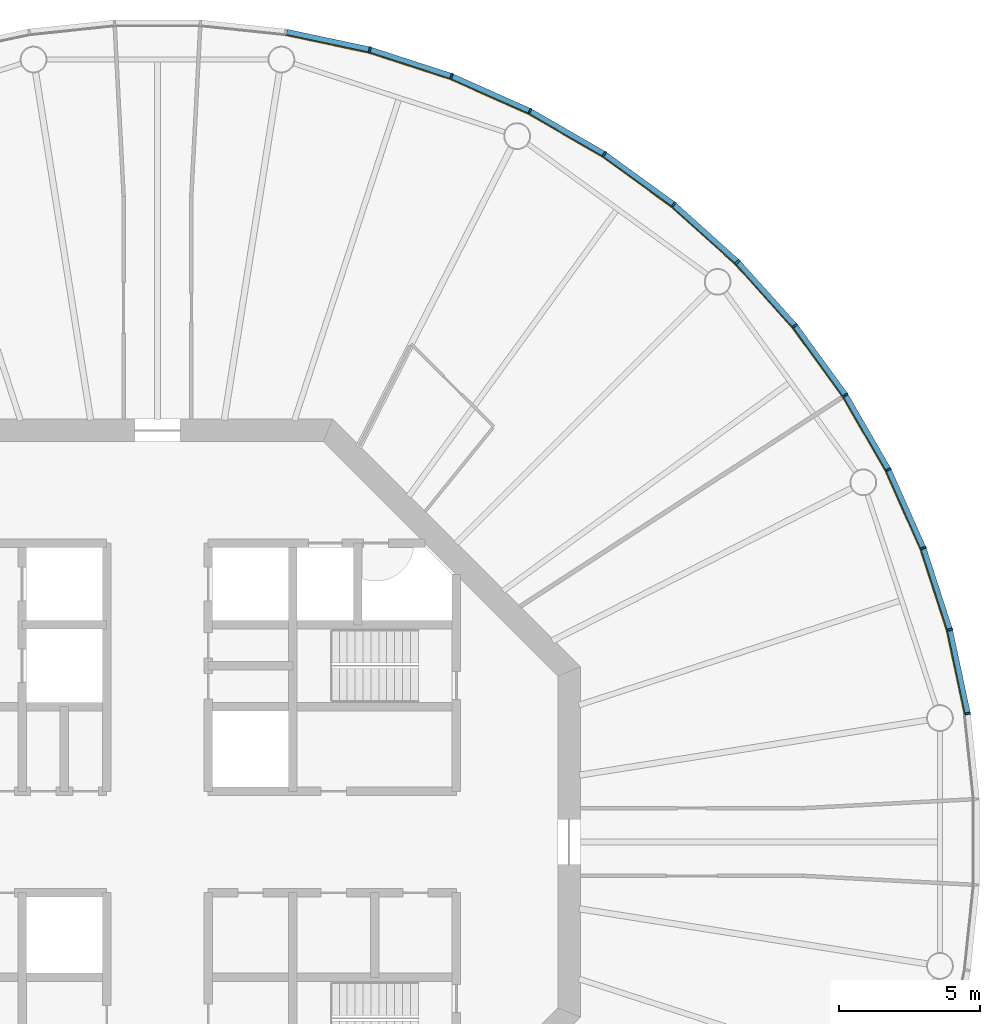
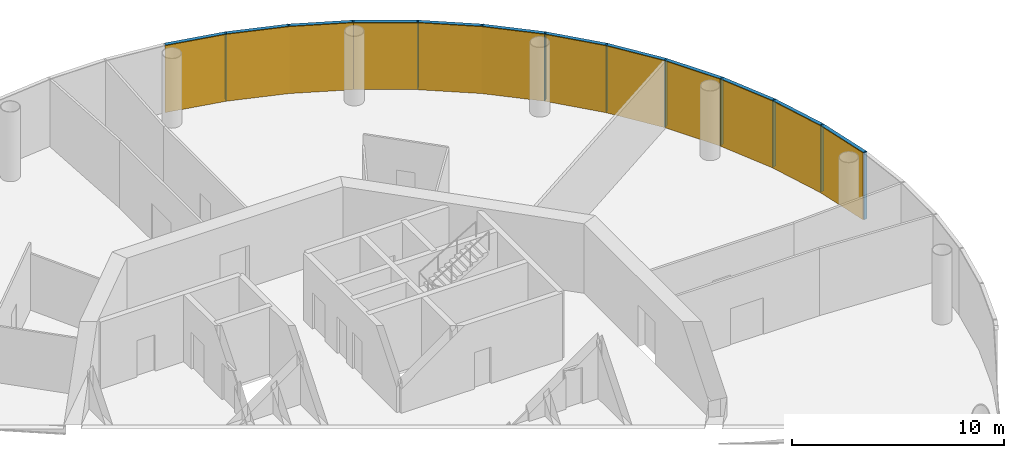
# One storey, part 12 of 13: 24 members, 4 curtain walls.
"""IFC4 building model written with IfcOpenShell, lengths in metres."""

from ifc_helpers import new_model, si_unit, direction, frame, origin, origin_2d, place, context, subcontext, project, spatial, polyline, rectangle, outline, extrude, material, layer, layer_set, material_profile, profile_set, type_object, element, aggregate, save


model = new_model("IFC4")

# Units and contexts
model_context = context("Model", 3, precision=1e-05, world=origin(), true_north=direction((0.0, 1.0)))
body_context = subcontext(model_context, "Body", "Model", "MODEL_VIEW")
ifc_project = project(units=[si_unit("LENGTHUNIT", "METRE"), si_unit("AREAUNIT", "SQUARE_METRE"), si_unit("VOLUMEUNIT", "CUBIC_METRE"), si_unit("PLANEANGLEUNIT", "RADIAN"), si_unit("MASSUNIT", "GRAM", prefix="KILO")], contexts=[model_context])

# Member
ifc_material_1 = material(Name="Anodised aluminium", Category="aluminium")
ifc_material_profile_1 = material_profile(ifc_material_1, rectangle(XDim=0.06494140625, YDim=0.195068359375, at=origin_2d()), Name="Mullion 65 x 195 mm anodised aluminium")
ifc_profile_set_1 = profile_set([ifc_material_profile_1], Name="Anodised aluminium")
member_type_1 = type_object("IfcMemberType", Name="Mullion 65 x 195 mm anodised aluminium", PredefinedType="MULLION", material=ifc_profile_set_1)
site_placement = place(None, origin())
building_placement = place(site_placement, origin())
storey_placement = place(building_placement, frame((0.0, 0.0, 298.0)))
member_1_placement = place(storey_placement, frame((118.7392578125, 84.5517578125, 0.0), z_axis=(0.0, 0.0, 1.0), x_axis=(-0.15643446504, 0.987688340595, 0.0)))
member_1 = element("IfcMember", 1, at=member_1_placement, type_object=member_type_1, Name="MULLION L68-00", PredefinedType="MULLION", context=body_context, shape_type="SweptSolid", body=[
    extrude(rectangle(XDim=0.06494140625, YDim=0.195068359375, at=origin_2d()), origin(), (0.0, 0.0, 1.0), 3.85009765625),
])

member_2_placement = place(storey_placement, frame((118.10595703125, 87.531005859375, 0.0), z_axis=(0.0, 0.0, 1.0), x_axis=(-0.258819045103, 0.965925826289, 0.0)))
member_2 = element("IfcMember", 2, at=member_2_placement, type_object=member_type_1, Name="MULLION L68-01", PredefinedType="MULLION", context=body_context, shape_type="SweptSolid", body=[
    extrude(rectangle(XDim=0.06494140625, YDim=0.195068359375, at=origin_2d()), origin(), (0.0, 0.0, 1.0), 3.85009765625),
])

member_3_placement = place(storey_placement, frame((117.164794921875, 90.427490234375, 0.0), z_axis=(0.0, 0.0, 1.0), x_axis=(-0.358367949545, 0.933580426497, 0.0)))
member_3 = element("IfcMember", 3, at=member_3_placement, type_object=member_type_1, Name="MULLION L68-02", PredefinedType="MULLION", context=body_context, shape_type="SweptSolid", body=[
    extrude(rectangle(XDim=0.06494140625, YDim=0.195068359375, at=origin_2d()), origin(), (0.0, 0.0, 1.0), 3.85009765625),
])

member_4_placement = place(storey_placement, frame((115.926025390625, 93.2099609375, 0.0), z_axis=(0.0, 0.0, 1.0), x_axis=(-0.45399049974, 0.891006524188, 0.0)))
member_4 = element("IfcMember", 4, at=member_4_placement, type_object=member_type_1, Name="MULLION L68-03", PredefinedType="MULLION", context=body_context, shape_type="SweptSolid", body=[
    extrude(rectangle(XDim=0.06494140625, YDim=0.195068359375, at=origin_2d()), origin(), (0.0, 0.0, 1.0), 3.85009765625),
])

member_5_placement = place(storey_placement, frame((114.4033203125, 95.84765625, 0.0), z_axis=(0.0, 0.0, 1.0), x_axis=(-0.544639035015, 0.838670567945, 0.0)))
member_5 = element("IfcMember", 5, at=member_5_placement, type_object=member_type_1, Name="MULLION L68-04", PredefinedType="MULLION", context=body_context, shape_type="SweptSolid", body=[
    extrude(rectangle(XDim=0.06494140625, YDim=0.195068359375, at=origin_2d()), origin(), (0.0, 0.0, 1.0), 3.85009765625),
])

member_6_placement = place(storey_placement, frame((112.613037109375, 98.311767578125, 0.0), z_axis=(0.0, 0.0, 1.0), x_axis=(-0.62932039105, 0.777145961457, 0.0)))
member_6 = element("IfcMember", 6, at=member_6_placement, type_object=member_type_1, Name="MULLION L68-05", PredefinedType="MULLION", context=body_context, shape_type="SweptSolid", body=[
    extrude(rectangle(XDim=0.06494140625, YDim=0.195068359375, at=origin_2d()), origin(), (0.0, 0.0, 1.0), 3.85009765625),
])

member_7_placement = place(storey_placement, frame((110.574951171875, 100.574951171875, 0.0), z_axis=(0.0, 0.0, 1.0), x_axis=(-0.707106781187, 0.707106781187, 0.0)))
member_7 = element("IfcMember", 7, at=member_7_placement, type_object=member_type_1, Name="MULLION L68-06", PredefinedType="MULLION", context=body_context, shape_type="SweptSolid", body=[
    extrude(rectangle(XDim=0.06494140625, YDim=0.195068359375, at=origin_2d()), origin(), (0.0, 0.0, 1.0), 3.85009765625),
])

member_8_placement = place(storey_placement, frame((108.311767578125, 102.613037109375, 0.0), z_axis=(0.0, 0.0, 1.0), x_axis=(-0.777145961457, 0.62932039105, 0.0)))
member_8 = element("IfcMember", 8, at=member_8_placement, type_object=member_type_1, Name="MULLION L68-07", PredefinedType="MULLION", context=body_context, shape_type="SweptSolid", body=[
    extrude(rectangle(XDim=0.06494140625, YDim=0.195068359375, at=origin_2d()), origin(), (0.0, 0.0, 1.0), 3.85009765625),
])

member_9_placement = place(storey_placement, frame((105.84765625, 104.4033203125, 0.0), z_axis=(0.0, 0.0, 1.0), x_axis=(-0.838670567945, 0.544639035015, 0.0)))
member_9 = element("IfcMember", 9, at=member_9_placement, type_object=member_type_1, Name="MULLION L68-08", PredefinedType="MULLION", context=body_context, shape_type="SweptSolid", body=[
    extrude(rectangle(XDim=0.06494140625, YDim=0.195068359375, at=origin_2d()), origin(), (0.0, 0.0, 1.0), 3.85009765625),
])

member_10_placement = place(storey_placement, frame((103.2099609375, 105.926025390625, 0.0), z_axis=(0.0, 0.0, 1.0), x_axis=(-0.891006524188, 0.45399049974, 0.0)))
member_10 = element("IfcMember", 10, at=member_10_placement, type_object=member_type_1, Name="MULLION L68-09", PredefinedType="MULLION", context=body_context, shape_type="SweptSolid", body=[
    extrude(rectangle(XDim=0.06494140625, YDim=0.195068359375, at=origin_2d()), origin(), (0.0, 0.0, 1.0), 3.85009765625),
])

member_11_placement = place(storey_placement, frame((100.427490234375, 107.164794921875, 0.0), z_axis=(0.0, 0.0, 1.0), x_axis=(-0.933580426497, 0.358367949545, 0.0)))
member_11 = element("IfcMember", 11, at=member_11_placement, type_object=member_type_1, Name="MULLION L68-10", PredefinedType="MULLION", context=body_context, shape_type="SweptSolid", body=[
    extrude(rectangle(XDim=0.06494140625, YDim=0.195068359375, at=origin_2d()), origin(), (0.0, 0.0, 1.0), 3.85009765625),
])

member_12_placement = place(storey_placement, frame((97.531005859375, 108.10595703125, 0.0), z_axis=(0.0, 0.0, 1.0), x_axis=(-0.965925826289, 0.258819045103, 0.0)))
member_12 = element("IfcMember", 12, at=member_12_placement, type_object=member_type_1, Name="MULLION L68-11", PredefinedType="MULLION", context=body_context, shape_type="SweptSolid", body=[
    extrude(rectangle(XDim=0.06494140625, YDim=0.195068359375, at=origin_2d()), origin(), (0.0, 0.0, 1.0), 3.85009765625),
])

ifc_material_2 = material(Name="Anodised aluminium", Category="aluminium")
ifc_material_profile_2 = material_profile(ifc_material_2, rectangle(XDim=0.195068359375, YDim=0.179931640625, at=origin_2d()), Name="Transom 180 x 195 mm anodised aluminium")
ifc_profile_set_2 = profile_set([ifc_material_profile_2], Name="Anodised aluminium")
member_type_2 = type_object("IfcMemberType", Name="Transom 180 x 195 mm anodised aluminium", PredefinedType="USERDEFINED", material=ifc_profile_set_2)
member_13_placement = place(storey_placement, frame((118.731689453125, 84.588623046875, 3.760009765625), z_axis=(-0.207940342877, 0.978141510112, 0.0), x_axis=(-0.978141510112, -0.207940342877, 0.0)))
member_13 = element("IfcMember", 13, at=member_13_placement, type_object=member_type_2, Name="TRANSOM L68-00", ObjectType="TRANSOM", PredefinedType="USERDEFINED", context=body_context, shape_type="SweptSolid", body=[
    extrude(rectangle(XDim=0.195068359375, YDim=0.179931640625, at=origin_2d()), origin(), (0.0, 0.0, 1.0), 2.970458984375),
])

member_14_placement = place(storey_placement, frame((118.094482421875, 87.56689453125, 3.760009765625), z_axis=(-0.309043326415, 0.951047960094, 0.0), x_axis=(-0.951047960094, -0.309043326415, 0.0)))
member_14 = element("IfcMember", 14, at=member_14_placement, type_object=member_type_2, Name="TRANSOM L68-01", ObjectType="TRANSOM", PredefinedType="USERDEFINED", context=body_context, shape_type="SweptSolid", body=[
    extrude(rectangle(XDim=0.195068359375, YDim=0.179931640625, at=origin_2d()), origin(), (0.0, 0.0, 1.0), 2.970458984375),
])

member_15_placement = place(storey_placement, frame((117.149658203125, 90.4619140625, 3.760009765625), z_axis=(-0.406725527369, 0.913550406593, 0.0), x_axis=(-0.913550406593, -0.406725527369, 0.0)))
member_15 = element("IfcMember", 15, at=member_15_placement, type_object=member_type_2, Name="TRANSOM L68-02", ObjectType="TRANSOM", PredefinedType="USERDEFINED", context=body_context, shape_type="SweptSolid", body=[
    extrude(rectangle(XDim=0.195068359375, YDim=0.179931640625, at=origin_2d()), origin(), (0.0, 0.0, 1.0), 2.970703125),
])

member_16_placement = place(storey_placement, frame((115.907470703125, 93.24267578125, 3.760009765625), z_axis=(-0.500028367561, 0.866009025146, 0.0), x_axis=(-0.866009025146, -0.500028367561, 0.0)))
member_16 = element("IfcMember", 16, at=member_16_placement, type_object=member_type_2, Name="TRANSOM L68-03", ObjectType="TRANSOM", PredefinedType="USERDEFINED", context=body_context, shape_type="SweptSolid", body=[
    extrude(rectangle(XDim=0.195068359375, YDim=0.179931640625, at=origin_2d()), origin(), (0.0, 0.0, 1.0), 2.970458984375),
])

member_17_placement = place(storey_placement, frame((114.381103515625, 95.878173828125, 3.760009765625), z_axis=(-0.587765987476, 0.809030990733, 0.0), x_axis=(-0.809030990733, -0.587765987476, 0.0)))
member_17 = element("IfcMember", 17, at=member_17_placement, type_object=member_type_2, Name="TRANSOM L68-04", ObjectType="TRANSOM", PredefinedType="USERDEFINED", context=body_context, shape_type="SweptSolid", body=[
    extrude(rectangle(XDim=0.195068359375, YDim=0.179931640625, at=origin_2d()), origin(), (0.0, 0.0, 1.0), 2.97021484375),
])

member_18_placement = place(storey_placement, frame((112.587890625, 98.339599609375, 3.760009765625), z_axis=(-0.669110027395, 0.743163354343, 0.0), x_axis=(-0.743163354343, -0.669110027395, 0.0)))
member_18 = element("IfcMember", 18, at=member_18_placement, type_object=member_type_2, Name="TRANSOM L68-05", ObjectType="TRANSOM", PredefinedType="USERDEFINED", context=body_context, shape_type="SweptSolid", body=[
    extrude(rectangle(XDim=0.195068359375, YDim=0.179931640625, at=origin_2d()), origin(), (0.0, 0.0, 1.0), 2.970458984375),
])

member_19_placement = place(storey_placement, frame((110.547119140625, 100.600341796875, 3.760009765625), z_axis=(-0.743163354343, 0.669110027395, 0.0), x_axis=(-0.669110027395, -0.743163354343, 0.0)))
member_19 = element("IfcMember", 19, at=member_19_placement, type_object=member_type_2, Name="TRANSOM L68-06", ObjectType="TRANSOM", PredefinedType="USERDEFINED", context=body_context, shape_type="SweptSolid", body=[
    extrude(rectangle(XDim=0.195068359375, YDim=0.179931640625, at=origin_2d()), origin(), (0.0, 0.0, 1.0), 2.970458984375),
])

member_20_placement = place(storey_placement, frame((108.28125, 102.63525390625, 3.760009765625), z_axis=(-0.809030990733, 0.587765987476, 0.0), x_axis=(-0.587765987476, -0.809030990733, 0.0)))
member_20 = element("IfcMember", 20, at=member_20_placement, type_object=member_type_2, Name="TRANSOM L68-07", ObjectType="TRANSOM", PredefinedType="USERDEFINED", context=body_context, shape_type="SweptSolid", body=[
    extrude(rectangle(XDim=0.195068359375, YDim=0.179931640625, at=origin_2d()), origin(), (0.0, 0.0, 1.0), 2.97021484375),
])

member_21_placement = place(storey_placement, frame((105.815185546875, 104.422119140625, 3.760009765625), z_axis=(-0.866009025146, 0.500028367561, 0.0), x_axis=(-0.500028367561, -0.866009025146, 0.0)))
member_21 = element("IfcMember", 21, at=member_21_placement, type_object=member_type_2, Name="TRANSOM L68-08", ObjectType="TRANSOM", PredefinedType="USERDEFINED", context=body_context, shape_type="SweptSolid", body=[
    extrude(rectangle(XDim=0.195068359375, YDim=0.179931640625, at=origin_2d()), origin(), (0.0, 0.0, 1.0), 2.970458984375),
])

member_22_placement = place(storey_placement, frame((103.17578125, 105.94140625, 3.760009765625), z_axis=(-0.913550406593, 0.406725527369, 0.0), x_axis=(-0.406725527369, -0.913550406593, 0.0)))
member_22 = element("IfcMember", 22, at=member_22_placement, type_object=member_type_2, Name="TRANSOM L68-09", ObjectType="TRANSOM", PredefinedType="USERDEFINED", context=body_context, shape_type="SweptSolid", body=[
    extrude(rectangle(XDim=0.195068359375, YDim=0.179931640625, at=origin_2d()), origin(), (0.0, 0.0, 1.0), 2.970703125),
])

member_23_placement = place(storey_placement, frame((100.391845703125, 107.176513671875, 3.760009765625), z_axis=(-0.951047960094, 0.309043326415, 0.0), x_axis=(-0.309043326415, -0.951047960094, 0.0)))
member_23 = element("IfcMember", 23, at=member_23_placement, type_object=member_type_2, Name="TRANSOM L68-10", ObjectType="TRANSOM", PredefinedType="USERDEFINED", context=body_context, shape_type="SweptSolid", body=[
    extrude(rectangle(XDim=0.195068359375, YDim=0.179931640625, at=origin_2d()), origin(), (0.0, 0.0, 1.0), 2.970458984375),
])

member_24_placement = place(storey_placement, frame((97.494140625, 108.114013671875, 3.760009765625), z_axis=(-0.978141510112, 0.207940342877, 0.0), x_axis=(-0.207940342877, -0.978141510112, 0.0)))
member_24 = element("IfcMember", 24, at=member_24_placement, type_object=member_type_2, Name="TRANSOM L68-11", ObjectType="TRANSOM", PredefinedType="USERDEFINED", context=body_context, shape_type="SweptSolid", body=[
    extrude(rectangle(XDim=0.195068359375, YDim=0.179931640625, at=origin_2d()), origin(), (0.0, 0.0, 1.0), 2.970458984375),
])

# Site, building, storey
site = spatial("IfcSite", under=ifc_project, at=site_placement, CompositionType="ELEMENT")
building = spatial("IfcBuilding", under=site, at=building_placement, Name="Entoto Ring Tower", CompositionType="ELEMENT")
storey = spatial("IfcBuildingStorey", under=building, at=storey_placement, Name="L68", CompositionType="ELEMENT", Elevation=298.0)

# Curtain wall
ifc_material_3 = material(Name="Clear low-iron glass", Category="glass")
ifc_layer = layer(ifc_material_3, 0.033935546875)
ifc_layer_set = layer_set([ifc_layer], Name="Clear low-iron glass")
curtain_wall_type = type_object("IfcCurtainWallType", Name="Curtain wall system CW5 glazing 34 mm", PredefinedType="NOTDEFINED", material=ifc_layer_set)
curtain_wall_1_placement = place(storey_placement, origin())
curtain_wall_1 = element("IfcCurtainWall", 25, at=curtain_wall_1_placement, inside=storey, type_object=curtain_wall_type, Name="CW5 L68-01", PredefinedType="NOTDEFINED", context=body_context, shape_type="SweptSolid", body=[
    extrude(outline(polyline([(118.64306640625, 84.53662109375), (118.011962890625, 87.505859375), (117.07373046875, 90.392578125), (115.839111328125, 93.165771484375), (115.808837890625, 93.150146484375), (117.0419921875, 90.38037109375), (117.97900390625, 87.496826171875), (118.609375, 84.53125), (118.64306640625, 84.53662109375)])), origin(), (0.0, 0.0, 1.0), 3.85009765625),
])

aggregate(curtain_wall_1, [member_1, member_2, member_3, member_13, member_14, member_15])

curtain_wall_2_placement = place(storey_placement, origin())
curtain_wall_2 = element("IfcCurtainWall", 26, at=curtain_wall_2_placement, inside=storey, type_object=curtain_wall_type, Name="CW5 L68-02", PredefinedType="NOTDEFINED", context=body_context, shape_type="SweptSolid", body=[
    extrude(outline(polyline([(115.839111328125, 93.165771484375), (114.321533203125, 95.79443359375), (112.537353515625, 98.250244140625), (110.506103515625, 100.506103515625), (110.48193359375, 100.48193359375), (112.5107421875, 98.228759765625), (114.29296875, 95.77587890625), (115.808837890625, 93.150146484375), (115.839111328125, 93.165771484375)])), origin(), (0.0, 0.0, 1.0), 3.85009765625),
])

aggregate(curtain_wall_2, [member_4, member_5, member_6, member_16, member_17, member_18])

curtain_wall_3_placement = place(storey_placement, origin())
curtain_wall_3 = element("IfcCurtainWall", 27, at=curtain_wall_3_placement, inside=storey, type_object=curtain_wall_type, Name="CW5 L68-03", PredefinedType="NOTDEFINED", context=body_context, shape_type="SweptSolid", body=[
    extrude(outline(polyline([(110.506103515625, 100.506103515625), (108.250244140625, 102.537353515625), (105.79443359375, 104.321533203125), (103.165771484375, 105.839111328125), (103.150146484375, 105.808837890625), (105.77587890625, 104.29296875), (108.228759765625, 102.5107421875), (110.48193359375, 100.48193359375), (110.506103515625, 100.506103515625)])), origin(), (0.0, 0.0, 1.0), 3.85009765625),
])

aggregate(curtain_wall_3, [member_7, member_8, member_9, member_19, member_20, member_21])

curtain_wall_4_placement = place(storey_placement, origin())
curtain_wall_4 = element("IfcCurtainWall", 28, at=curtain_wall_4_placement, inside=storey, type_object=curtain_wall_type, Name="CW5 L68-04", PredefinedType="NOTDEFINED", context=body_context, shape_type="SweptSolid", body=[
    extrude(outline(polyline([(103.165771484375, 105.839111328125), (100.392578125, 107.07373046875), (97.505859375, 108.011962890625), (94.53662109375, 108.64306640625), (94.53125, 108.609375), (97.496826171875, 107.97900390625), (100.38037109375, 107.0419921875), (103.150146484375, 105.808837890625), (103.165771484375, 105.839111328125)])), origin(), (0.0, 0.0, 1.0), 3.85009765625),
])

aggregate(curtain_wall_4, [member_10, member_11, member_12, member_22, member_23, member_24])

save(model, "model.ifc")
